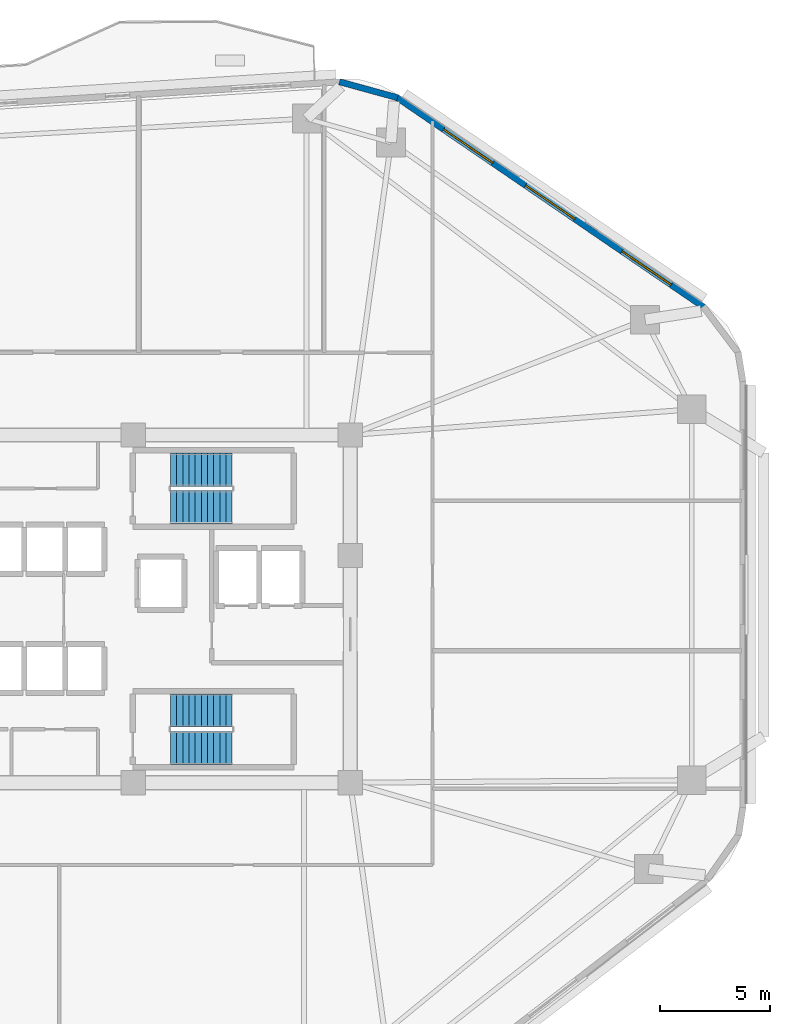
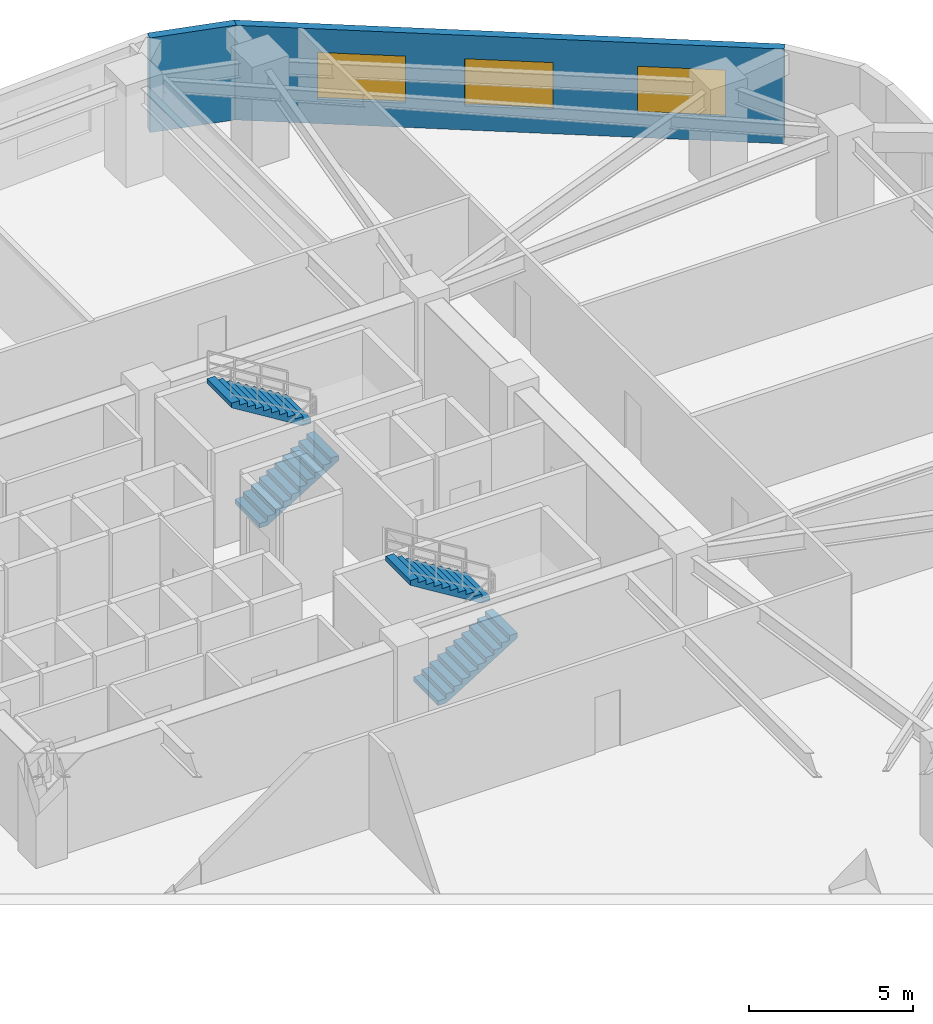
# One storey, part 6 of 9: 4 stair flights, 3 windows, 2 walls, 3 openings, 2 elements without a shape of their own.
"""IFC4 building model written with IfcOpenShell, lengths in metres."""

from ifc_helpers import new_model, si_unit, direction, frame, frame_2d, origin, place, context, subcontext, project, spatial, polyline, rectangle, outline, extrude, material, layer, layer_set, type_object, element, fill, aggregate, save


model = new_model("IFC4")

# Units and contexts
model_context = context("Model", 3, precision=1e-05, world=origin(), true_north=direction((0.0, 1.0)))
body_context = subcontext(model_context, "Body", "Model", "MODEL_VIEW")
ifc_project = project(units=[si_unit("LENGTHUNIT", "METRE"), si_unit("AREAUNIT", "SQUARE_METRE"), si_unit("VOLUMEUNIT", "CUBIC_METRE"), si_unit("PLANEANGLEUNIT", "RADIAN"), si_unit("MASSUNIT", "GRAM", prefix="KILO")], contexts=[model_context])

# Site, building, storey
site_placement = place(None, origin())
site = spatial("IfcSite", under=ifc_project, at=site_placement, CompositionType="ELEMENT")
building_placement = place(site_placement, origin())
building = spatial("IfcBuilding", under=site, at=building_placement, Name="Zulverin Broadcast Headquarters", CompositionType="ELEMENT")
storey_placement = place(building_placement, frame((0.0, 0.0, 51.60009765625)))
storey = spatial("IfcBuildingStorey", under=building, at=storey_placement, Name="L12", CompositionType="ELEMENT", Elevation=51.60009765625)

# Wall, openings, windows
ifc_material_1 = material(Name="Insulated pale-metal clad concrete spandrel C40/50", Category="concrete")
ifc_layer = layer(ifc_material_1, 0.280029296875, Name="Insulated pale-metal clad concrete spandrel C40/50", Category="concrete")
ifc_layer_set = layer_set([ifc_layer], Name="Insulated pale-metal clad concrete spandrel C40/50")
wall_type = type_object("IfcWallType", Name="WL-EXT-280", PredefinedType="STANDARD", material=ifc_layer_set)
wall_1_placement = place(storey_placement, frame((64.289794921875, 38.8671875, 0.0), z_axis=(0.0, 0.0, 1.0), x_axis=(-0.825755550159, 0.564028165416, 0.0)))
wall_1 = element("IfcWall", 1, at=wall_1_placement, inside=storey, type_object=wall_type, Name="L12 Pale-Metal Clad Spandrel Wall 4", PredefinedType="STANDARD", context=body_context, shape_type="SweptSolid", body=[
    extrude(rectangle(XDim=16.848388671875, YDim=0.280029296875, at=frame_2d((8.42431640625, 0.0))), origin(), (0.0, 0.0, 1.0), 3.52490234375),
])
opening_1_placement = place(wall_1_placement, frame((1.79150390625, 0.0, 0.89990234375)))
opening_1 = element("IfcOpeningElement", 2, at=opening_1_placement, cuts=wall_1, Name="Opening W-L12-E41", PredefinedType="OPENING", context=body_context, shape_type="SweptSolid", body=[
    extrude(rectangle(XDim=2.699951171875, YDim=1.75, at=frame_2d((1.35009765625, 0.875))), frame((0.0, 0.14990234375, 0.0), z_axis=(0.0, -1.0, 0.0), x_axis=(1.0, 0.0, 0.0)), (0.0, 0.0, 1.0), 0.300048828125),
])
opening_2_placement = place(wall_1_placement, frame((7.07421875, 0.0, 0.89990234375)))
opening_2 = element("IfcOpeningElement", 3, at=opening_2_placement, cuts=wall_1, Name="Opening W-L12-E42", PredefinedType="OPENING", context=body_context, shape_type="SweptSolid", body=[
    extrude(rectangle(XDim=2.699951171875, YDim=1.75, at=frame_2d((1.35009765625, 0.875))), frame((0.0, 0.14990234375, 0.0), z_axis=(0.0, -1.0, 0.0), x_axis=(1.0, 0.0, 0.0)), (0.0, 0.0, 1.0), 0.300048828125),
])
opening_3_placement = place(wall_1_placement, frame((11.576904296875, 0.0, 0.89990234375)))
opening_3 = element("IfcOpeningElement", 4, at=opening_3_placement, cuts=wall_1, Name="Opening W-L12-E43", PredefinedType="OPENING", context=body_context, shape_type="SweptSolid", body=[
    extrude(rectangle(XDim=2.699951171875, YDim=1.75, at=frame_2d((1.35009765625, 0.875))), frame((0.0, 0.14990234375, 0.0), z_axis=(0.0, -1.0, 0.0), x_axis=(1.0, 0.0, 0.0)), (0.0, 0.0, 1.0), 0.300048828125),
])
ifc_material_2 = material(Name="Pale anodized aluminium frame with solar-control low-E double glazing", Category="aluminium")
window_type = type_object("IfcWindowType", Name="WIN-TWR-2700", PartitioningType="SINGLE_PANEL", PredefinedType="WINDOW", material=ifc_material_2)
window_1_placement = place(opening_1_placement, origin())
window_1 = element("IfcWindow", 5, at=window_1_placement, inside=storey, type_object=window_type, Name="L12 Ribbon Glazing Window 4 1", OverallHeight=1.75, OverallWidth=2.699951171875, PartitioningType="SINGLE_PANEL", PredefinedType="WINDOW", context=body_context, shape_type="SweptSolid", body=[
    extrude(rectangle(XDim=2.699951171875, YDim=1.75, at=frame_2d((1.35009765625, 0.875))), frame((0.0, 0.030029296875, 0.0), z_axis=(0.0, -1.0, 0.0), x_axis=(1.0, 0.0, 0.0)), (0.0, 0.0, 1.0), 0.06005859375),
])
fill(opening_1, window_1)
window_2_placement = place(opening_2_placement, origin())
window_2 = element("IfcWindow", 6, at=window_2_placement, inside=storey, type_object=window_type, Name="L12 Ribbon Glazing Window 4 2", OverallHeight=1.75, OverallWidth=2.699951171875, PartitioningType="SINGLE_PANEL", PredefinedType="WINDOW", context=body_context, shape_type="SweptSolid", body=[
    extrude(rectangle(XDim=2.699951171875, YDim=1.75, at=frame_2d((1.35009765625, 0.875))), frame((0.0, 0.030029296875, 0.0), z_axis=(0.0, -1.0, 0.0), x_axis=(1.0, 0.0, 0.0)), (0.0, 0.0, 1.0), 0.06005859375),
])
fill(opening_2, window_2)
window_3_placement = place(opening_3_placement, origin())
window_3 = element("IfcWindow", 7, at=window_3_placement, inside=storey, type_object=window_type, Name="L12 Ribbon Glazing Window 4 3", OverallHeight=1.75, OverallWidth=2.699951171875, PartitioningType="SINGLE_PANEL", PredefinedType="WINDOW", context=body_context, shape_type="SweptSolid", body=[
    extrude(rectangle(XDim=2.699951171875, YDim=1.75, at=frame_2d((1.35009765625, 0.875))), frame((0.0, 0.030029296875, 0.0), z_axis=(0.0, -1.0, 0.0), x_axis=(1.0, 0.0, 0.0)), (0.0, 0.0, 1.0), 0.06005859375),
])
fill(opening_3, window_3)

# Wall
wall_2_placement = place(storey_placement, frame((50.419189453125, 48.3505859375, 0.0), z_axis=(0.0, 0.0, 1.0), x_axis=(-0.964254516967, 0.264977784933, 0.0)))
element("IfcWall", 8, at=wall_2_placement, inside=storey, type_object=wall_type, Name="L12 Wind-Shaped Corner Spandrel Wall 4-1", PredefinedType="STANDARD", context=body_context, shape_type="SweptSolid", body=[
    extrude(rectangle(XDim=2.73095703125, YDim=0.280029296875, at=frame_2d((1.365478515625, 0.0))), origin(), (0.0, 0.0, 1.0), 3.52490234375),
])

# Stair, stair flights
ifc_material_3 = material(Name="Concrete C40/50", Category="concrete")
stair_type = type_object("IfcStairType", Name="ST-CORE-1500", PredefinedType="HALF_TURN_STAIR", material=ifc_material_3)
stair_1_placement = place(storey_placement, origin())
stair_1 = element("IfcStair", 9, at=stair_1_placement, inside=storey, type_object=stair_type, Name="L12 Core Exit Stair ST-1", PredefinedType="HALF_TURN_STAIR")
stair_flight_type = type_object("IfcStairFlightType", Name="SF-CORE-1500", PredefinedType="STRAIGHT", material=ifc_material_3)
stair_flight_1_placement = place(storey_placement, frame((40.1298828125, 29.800048828125, 0.0), z_axis=(0.0, 0.0, 1.0), x_axis=(1.0, 0.0, 0.0)))
stair_flight_1 = element("IfcStairFlight", 10, at=stair_flight_1_placement, type_object=stair_flight_type, Name="ST-1 flight 1", NumberOfRisers=11, NumberOfTreads=10, PredefinedType="STRAIGHT", RiserHeight=0.172727273, TreadLength=0.28, context=body_context, shape_type="SweptSolid", body=[
    extrude(outline(polyline([(0.0, 0.0), (0.0, 0.172607421875), (0.280029296875, 0.172607421875), (0.280029296875, 0.345458984375), (0.56005859375, 0.345458984375), (0.56005859375, 0.51806640625), (0.840087890625, 0.51806640625), (0.840087890625, 0.69091796875), (1.1201171875, 0.69091796875), (1.1201171875, 0.863525390625), (1.39990234375, 0.863525390625), (1.39990234375, 1.036376953125), (1.679931640625, 1.036376953125), (1.679931640625, 1.208984375), (1.9599609375, 1.208984375), (1.9599609375, 1.3818359375), (2.239990234375, 1.3818359375), (2.239990234375, 1.554443359375), (2.52001953125, 1.554443359375), (2.52001953125, 1.727294921875), (2.800048828125, 1.727294921875), (2.800048828125, 1.89990234375), (2.800048828125, 1.551025390625), (0.285400390625, 0.0), (0.0, 0.0)])), frame((0.0, 0.75, 0.0), z_axis=(0.0, -1.0, 0.0), x_axis=(1.0, 0.0, 0.0)), (0.0, 0.0, 1.0), 1.5),
])
stair_flight_2_placement = place(storey_placement, frame((42.929931640625, 31.5, 1.89990234375), z_axis=(0.0, 0.0, 1.0), x_axis=(-1.0, 0.0, 0.0)))
stair_flight_2 = element("IfcStairFlight", 11, at=stair_flight_2_placement, type_object=stair_flight_type, Name="ST-1 flight 2", NumberOfRisers=11, NumberOfTreads=10, PredefinedType="STRAIGHT", RiserHeight=0.172727273, TreadLength=0.28, context=body_context, shape_type="SweptSolid", body=[
    extrude(outline(polyline([(0.0, 0.0), (0.0, 0.172607421875), (0.280029296875, 0.172607421875), (0.280029296875, 0.345458984375), (0.56005859375, 0.345458984375), (0.56005859375, 0.51806640625), (0.840087890625, 0.51806640625), (0.840087890625, 0.69091796875), (1.1201171875, 0.69091796875), (1.1201171875, 0.863525390625), (1.39990234375, 0.863525390625), (1.39990234375, 1.036376953125), (1.679931640625, 1.036376953125), (1.679931640625, 1.208984375), (1.9599609375, 1.208984375), (1.9599609375, 1.3818359375), (2.239990234375, 1.3818359375), (2.239990234375, 1.554443359375), (2.52001953125, 1.554443359375), (2.52001953125, 1.727294921875), (2.800048828125, 1.727294921875), (2.800048828125, 1.89990234375), (2.800048828125, 1.551025390625), (0.285400390625, 0.0), (0.0, 0.0)])), frame((0.0, 0.75, 0.0), z_axis=(0.0, -1.0, 0.0), x_axis=(1.0, 0.0, 0.0)), (0.0, 0.0, 1.0), 1.5),
])
aggregate(stair_1, [stair_flight_1, stair_flight_2])

stair_2_placement = place(storey_placement, origin())
stair_2 = element("IfcStair", 12, at=stair_2_placement, inside=storey, type_object=stair_type, Name="L12 Core Exit Stair ST-2", PredefinedType="HALF_TURN_STAIR")
stair_flight_3_placement = place(storey_placement, frame((40.1298828125, 18.89990234375, 0.0), z_axis=(0.0, 0.0, 1.0), x_axis=(1.0, 0.0, 0.0)))
stair_flight_3 = element("IfcStairFlight", 13, at=stair_flight_3_placement, type_object=stair_flight_type, Name="ST-2 flight 1", NumberOfRisers=11, NumberOfTreads=10, PredefinedType="STRAIGHT", RiserHeight=0.172727273, TreadLength=0.28, context=body_context, shape_type="SweptSolid", body=[
    extrude(outline(polyline([(0.0, 0.0), (0.0, 0.172607421875), (0.280029296875, 0.172607421875), (0.280029296875, 0.345458984375), (0.56005859375, 0.345458984375), (0.56005859375, 0.51806640625), (0.840087890625, 0.51806640625), (0.840087890625, 0.69091796875), (1.1201171875, 0.69091796875), (1.1201171875, 0.863525390625), (1.39990234375, 0.863525390625), (1.39990234375, 1.036376953125), (1.679931640625, 1.036376953125), (1.679931640625, 1.208984375), (1.9599609375, 1.208984375), (1.9599609375, 1.3818359375), (2.239990234375, 1.3818359375), (2.239990234375, 1.554443359375), (2.52001953125, 1.554443359375), (2.52001953125, 1.727294921875), (2.800048828125, 1.727294921875), (2.800048828125, 1.89990234375), (2.800048828125, 1.551025390625), (0.285400390625, 0.0), (0.0, 0.0)])), frame((0.0, 0.75, 0.0), z_axis=(0.0, -1.0, 0.0), x_axis=(1.0, 0.0, 0.0)), (0.0, 0.0, 1.0), 1.5),
])
stair_flight_4_placement = place(storey_placement, frame((42.929931640625, 20.60009765625, 1.89990234375), z_axis=(0.0, 0.0, 1.0), x_axis=(-1.0, 0.0, 0.0)))
stair_flight_4 = element("IfcStairFlight", 14, at=stair_flight_4_placement, type_object=stair_flight_type, Name="ST-2 flight 2", NumberOfRisers=11, NumberOfTreads=10, PredefinedType="STRAIGHT", RiserHeight=0.172727273, TreadLength=0.28, context=body_context, shape_type="SweptSolid", body=[
    extrude(outline(polyline([(0.0, 0.0), (0.0, 0.172607421875), (0.280029296875, 0.172607421875), (0.280029296875, 0.345458984375), (0.56005859375, 0.345458984375), (0.56005859375, 0.51806640625), (0.840087890625, 0.51806640625), (0.840087890625, 0.69091796875), (1.1201171875, 0.69091796875), (1.1201171875, 0.863525390625), (1.39990234375, 0.863525390625), (1.39990234375, 1.036376953125), (1.679931640625, 1.036376953125), (1.679931640625, 1.208984375), (1.9599609375, 1.208984375), (1.9599609375, 1.3818359375), (2.239990234375, 1.3818359375), (2.239990234375, 1.554443359375), (2.52001953125, 1.554443359375), (2.52001953125, 1.727294921875), (2.800048828125, 1.727294921875), (2.800048828125, 1.89990234375), (2.800048828125, 1.551025390625), (0.285400390625, 0.0), (0.0, 0.0)])), frame((0.0, 0.75, 0.0), z_axis=(0.0, -1.0, 0.0), x_axis=(1.0, 0.0, 0.0)), (0.0, 0.0, 1.0), 1.5),
])
aggregate(stair_2, [stair_flight_3, stair_flight_4])

save(model, "model.ifc")
